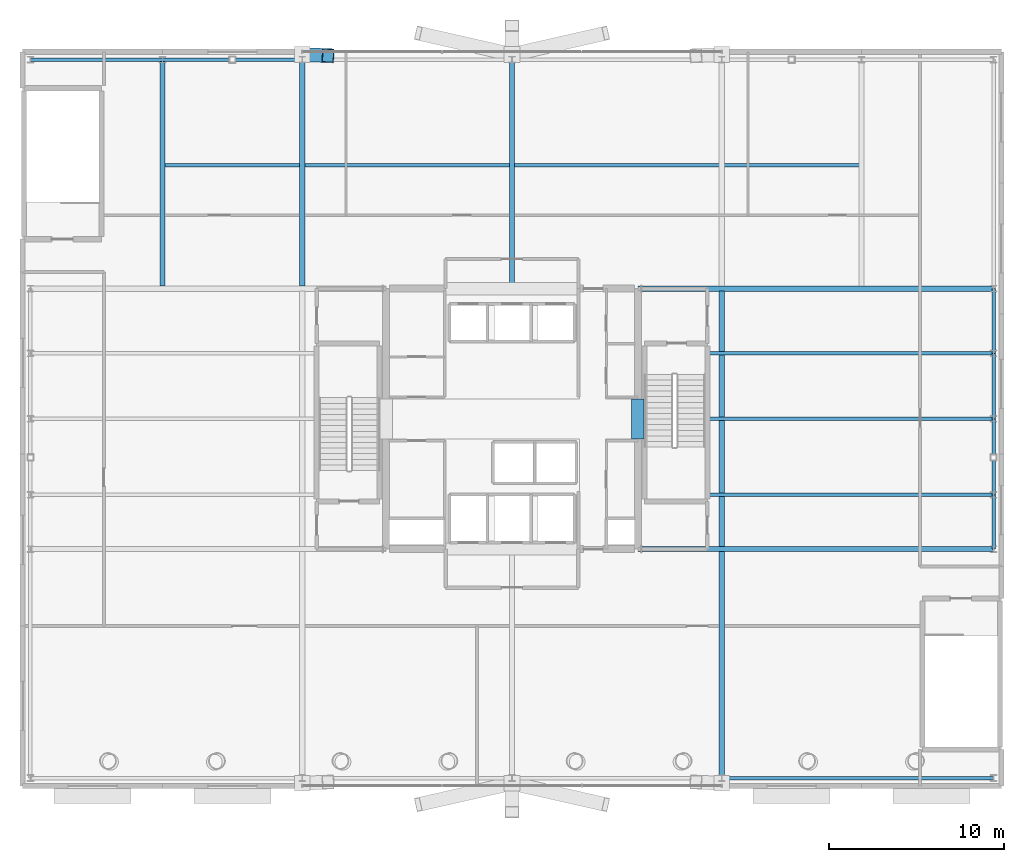
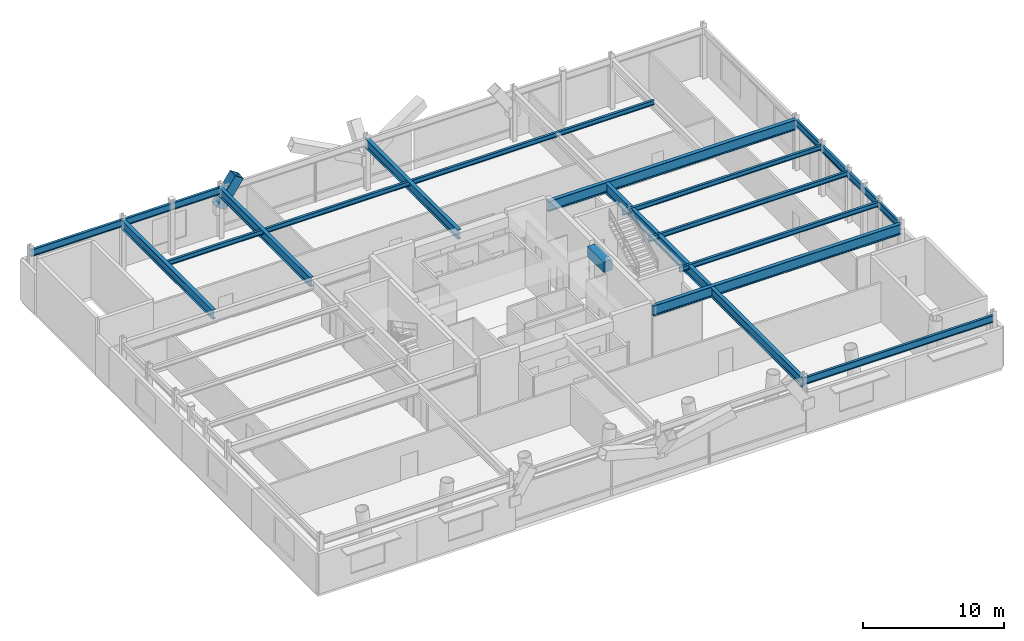
# One storey, part 9 of 21: 19 beams, 1 member.
"""IFC4 building model written with IfcOpenShell, lengths in metres."""

from ifc_helpers import new_model, si_unit, direction, frame, origin, origin_2d, place, context, subcontext, project, spatial, rectangle, hollow_rectangle, i_section, extrude, material, material_profile, profile_set, type_object, element, save


model = new_model("IFC4")

# Units and contexts
model_context = context("Model", 3, precision=1e-05, world=origin(), true_north=direction((0.0, 1.0)))
body_context = subcontext(model_context, "Body", "Model", "MODEL_VIEW")
ifc_project = project(units=[si_unit("LENGTHUNIT", "METRE"), si_unit("AREAUNIT", "SQUARE_METRE"), si_unit("VOLUMEUNIT", "CUBIC_METRE"), si_unit("PLANEANGLEUNIT", "RADIAN"), si_unit("MASSUNIT", "GRAM", prefix="KILO")], contexts=[model_context])

# Site, building, storey
site_placement = place(None, origin())
site = spatial("IfcSite", under=ifc_project, at=site_placement, CompositionType="ELEMENT")
building_placement = place(site_placement, origin())
building = spatial("IfcBuilding", under=site, at=building_placement, Name="Veldorina Hangang Commons", CompositionType="ELEMENT")
storey_placement = place(building_placement, frame((0.0, 0.0, 19.60009765625)))
storey = spatial("IfcBuildingStorey", under=building, at=storey_placement, Name="L04", CompositionType="ELEMENT", Elevation=19.60009765625)

# Beams
ifc_material_1 = material(Name="Concrete C70/85", Category="concrete")
ifc_material_profile_1 = material_profile(ifc_material_1, rectangle(XDim=0.699951171875, YDim=0.89990234375, at=origin_2d()), Name="RC-CB-700x900")
ifc_profile_set_1 = profile_set([ifc_material_profile_1], Name="Concrete C70/85")
beam_type_1 = type_object("IfcBeamType", Name="BM-CB900", PredefinedType="LINTEL", material=ifc_profile_set_1)
beam_1_placement = place(storey_placement, frame((39.199951171875, 22.85009765625, 3.949951171875), z_axis=(0.0, 1.0, 0.0), x_axis=(-1.0, 0.0, 0.0)))
element("IfcBeam", 1, at=beam_1_placement, inside=storey, type_object=beam_type_1, Name="L04 E core coupling lintel beam", PredefinedType="LINTEL", context=body_context, shape_type="SweptSolid", body=[
    extrude(rectangle(XDim=0.699951171875, YDim=0.89990234375, at=origin_2d()), origin(), (0.0, 0.0, 1.0), 2.2998046875),
])
ifc_material_2 = material(Name="Steel SM355-TMC", Category="steel")
ifc_material_profile_2 = material_profile(ifc_material_2, i_section(OverallWidth=0.199951171875, OverallDepth=0.39990234375, WebThickness=0.008056640625, FlangeThickness=0.012939453125, FilletRadius=0.012939453125, at=origin_2d()), Name="H-400x200x8x13")
ifc_profile_set_2 = profile_set([ifc_material_profile_2], Name="Steel SM355-TMC")
beam_type_2 = type_object("IfcBeamType", Name="BM-JST400", PredefinedType="JOIST", material=ifc_profile_set_2)
for number, where, z_axis, x_axis, name in (
    (2, (43.179931640625, 19.64990234375, 4.199951171875), (1.0, 0.0, 0.0), (0.0, 1.0, 0.0), "L04 east floor joist 1"),
    (3, (43.179931640625, 24.0, 4.199951171875), (1.0, 0.0, 0.0), (0.0, 1.0, 0.0), "L04 east floor joist 2"),
    (4, (43.179931640625, 27.75, 4.199951171875), (1.0, 0.0, 0.0), (0.0, 1.0, 0.0), "L04 east floor joist 3"),
):
    element("IfcBeam", number, at=place(storey_placement, frame(where, z_axis=z_axis, x_axis=x_axis)), inside=storey, type_object=beam_type_2, Name=name, PredefinedType="JOIST", context=body_context, shape_type="SweptSolid", body=[
        extrude(i_section(OverallWidth=0.199951171875, OverallDepth=0.39990234375, WebThickness=0.008056640625, FlangeThickness=0.012939453125, FilletRadius=0.012939453125, at=origin_2d()), origin(), (0.0, 0.0, 1.0), 16.3701171875),
    ])
beam_2_placement = place(storey_placement, frame((12.0, 38.5, 4.199951171875), z_axis=(1.0, 0.0, 0.0), x_axis=(0.0, 1.0, 0.0)))
element("IfcBeam", 5, at=beam_2_placement, inside=storey, type_object=beam_type_2, Name="L04 north floor joist 4", PredefinedType="JOIST", context=body_context, shape_type="SweptSolid", body=[
    extrude(i_section(OverallWidth=0.199951171875, OverallDepth=0.39990234375, WebThickness=0.008056640625, FlangeThickness=0.012939453125, FilletRadius=0.012939453125, at=origin_2d()), origin(), (0.0, 0.0, 1.0), 40.0),
])
ifc_material_3 = material(Name="Steel SM460-TMC", Category="steel")
ifc_material_profile_3 = material_profile(ifc_material_3, i_section(OverallWidth=0.300048828125, OverallDepth=0.800048828125, WebThickness=0.013916015625, FlangeThickness=0.02587890625, FilletRadius=0.02197265625, at=origin_2d()), Name="H-800x300x14x26")
ifc_profile_set_3 = profile_set([ifc_material_profile_3], Name="Steel SM460-TMC")
beam_type_3 = type_object("IfcBeamType", Name="BM-PG800", PredefinedType="BEAM", material=ifc_profile_set_3)
for number, where, z_axis, x_axis, name in (
    (6, (12.0, 31.590087890625, 4.0), (0.0, 1.0, 0.0), (-1.0, 0.0, 0.0), "L04 north primary girder G2"),
    (7, (20.0, 31.590087890625, 4.0), (0.0, 1.0, 0.0), (-1.0, 0.0, 0.0), "L04 north primary girder G3"),
):
    element("IfcBeam", number, at=place(storey_placement, frame(where, z_axis=z_axis, x_axis=x_axis)), inside=storey, type_object=beam_type_3, Name=name, PredefinedType="BEAM", context=body_context, shape_type="SweptSolid", body=[
        extrude(i_section(OverallWidth=0.300048828125, OverallDepth=0.800048828125, WebThickness=0.013916015625, FlangeThickness=0.02587890625, FilletRadius=0.02197265625, at=origin_2d()), origin(), (0.0, 0.0, 1.0), 12.9599609375),
    ])
beam_3_placement = place(storey_placement, frame((32.0, 31.449951171875, 4.0), z_axis=(0.0, 1.0, 0.0), x_axis=(-1.0, 0.0, 0.0)))
element("IfcBeam", 8, at=beam_3_placement, inside=storey, type_object=beam_type_3, Name="L04 north primary girder G5", PredefinedType="BEAM", context=body_context, shape_type="SweptSolid", body=[
    extrude(i_section(OverallWidth=0.300048828125, OverallDepth=0.800048828125, WebThickness=0.013916015625, FlangeThickness=0.02587890625, FilletRadius=0.02197265625, at=origin_2d()), origin(), (0.0, 0.0, 1.0), 13.10009765625),
])
beam_4_placement = place(storey_placement, frame((44.0, 3.449951171875, 4.0), z_axis=(0.0, 1.0, 0.0), x_axis=(-1.0, 0.0, 0.0)))
element("IfcBeam", 9, at=beam_4_placement, inside=storey, type_object=beam_type_3, Name="L04 south primary girder G7", PredefinedType="BEAM", context=body_context, shape_type="SweptSolid", body=[
    extrude(i_section(OverallWidth=0.300048828125, OverallDepth=0.800048828125, WebThickness=0.013916015625, FlangeThickness=0.02587890625, FilletRadius=0.02197265625, at=origin_2d()), origin(), (0.0, 0.0, 1.0), 12.9599609375),
])
ifc_material_profile_4 = material_profile(ifc_material_3, i_section(OverallWidth=0.300048828125, OverallDepth=0.89990234375, WebThickness=0.01611328125, FlangeThickness=0.028076171875, FilletRadius=0.02197265625, at=origin_2d()), Name="H-900x300x16x28")
ifc_profile_set_4 = profile_set([ifc_material_profile_4], Name="Steel SM460-TMC")
beam_type_4 = type_object("IfcBeamType", Name="BM-PG900", PredefinedType="BEAM", material=ifc_profile_set_4)
for number, where, z_axis, x_axis, name in (
    (10, (39.199951171875, 16.550048828125, 3.949951171875), (1.0, 0.0, 0.0), (0.0, 1.0, 0.0), "L04 east collector girder GD"),
    (11, (39.199951171875, 31.449951171875, 3.949951171875), (1.0, 0.0, 0.0), (0.0, 1.0, 0.0), "L04 east collector girder GF"),
):
    element("IfcBeam", number, at=place(storey_placement, frame(where, z_axis=z_axis, x_axis=x_axis)), inside=storey, type_object=beam_type_4, Name=name, PredefinedType="BEAM", context=body_context, shape_type="SweptSolid", body=[
        extrude(i_section(OverallWidth=0.300048828125, OverallDepth=0.89990234375, WebThickness=0.01611328125, FlangeThickness=0.028076171875, FilletRadius=0.02197265625, at=origin_2d()), origin(), (0.0, 0.0, 1.0), 20.35009765625),
    ])
beam_5_placement = place(storey_placement, frame((44.0, 16.68994140625, 3.949951171875), z_axis=(0.0, 1.0, 0.0), x_axis=(-1.0, 0.0, 0.0)))
element("IfcBeam", 12, at=beam_5_placement, inside=storey, type_object=beam_type_4, Name="L04 mid primary girder G7", PredefinedType="BEAM", context=body_context, shape_type="SweptSolid", body=[
    extrude(i_section(OverallWidth=0.300048828125, OverallDepth=0.89990234375, WebThickness=0.01611328125, FlangeThickness=0.028076171875, FilletRadius=0.02197265625, at=origin_2d()), origin(), (0.0, 0.0, 1.0), 14.6201171875),
])
ifc_material_4 = material(Name="Steel SM420-TMC", Category="steel")
ifc_material_profile_5 = material_profile(ifc_material_4, i_section(OverallWidth=0.199951171875, OverallDepth=0.60009765625, WebThickness=0.010986328125, FlangeThickness=0.01708984375, FilletRadius=0.01806640625, at=origin_2d()), Name="H-600x200x11x17")
ifc_profile_set_5 = profile_set([ifc_material_profile_5], Name="Steel SM420-TMC")
beam_type_5 = type_object("IfcBeamType", Name="BM-SPN600", PredefinedType="SPANDREL", material=ifc_profile_set_5)
beam_6_placement = place(storey_placement, frame((4.449951171875, 44.550048828125, 4.099853515625), z_axis=(1.0, 0.0, 0.0), x_axis=(0.0, 1.0, 0.0)))
element("IfcBeam", 13, at=beam_6_placement, inside=storey, type_object=beam_type_5, Name="L04 north spandrel beam 1", PredefinedType="SPANDREL", context=body_context, shape_type="SweptSolid", body=[
    extrude(i_section(OverallWidth=0.199951171875, OverallDepth=0.60009765625, WebThickness=0.010986328125, FlangeThickness=0.01708984375, FilletRadius=0.01806640625, at=origin_2d()), origin(), (0.0, 0.0, 1.0), 7.550048828125),
])
beam_7_placement = place(storey_placement, frame((12.0, 44.550048828125, 4.099853515625), z_axis=(1.0, 0.0, 0.0), x_axis=(0.0, 1.0, 0.0)))
element("IfcBeam", 14, at=beam_7_placement, inside=storey, type_object=beam_type_5, Name="L04 north spandrel beam 2", PredefinedType="SPANDREL", context=body_context, shape_type="SweptSolid", body=[
    extrude(i_section(OverallWidth=0.199951171875, OverallDepth=0.60009765625, WebThickness=0.010986328125, FlangeThickness=0.01708984375, FilletRadius=0.01806640625, at=origin_2d()), origin(), (0.0, 0.0, 1.0), 8.0),
])
beam_8_placement = place(storey_placement, frame((44.0, 3.449951171875, 4.099853515625), z_axis=(1.0, 0.0, 0.0), x_axis=(0.0, 1.0, 0.0)))
element("IfcBeam", 15, at=beam_8_placement, inside=storey, type_object=beam_type_5, Name="L04 south spandrel beam 4", PredefinedType="SPANDREL", context=body_context, shape_type="SweptSolid", body=[
    extrude(i_section(OverallWidth=0.199951171875, OverallDepth=0.60009765625, WebThickness=0.010986328125, FlangeThickness=0.01708984375, FilletRadius=0.01806640625, at=origin_2d()), origin(), (0.0, 0.0, 1.0), 15.550048828125),
])
beam_9_placement = place(storey_placement, frame((59.550048828125, 16.550048828125, 4.099853515625), z_axis=(0.0, 1.0, 0.0), x_axis=(-1.0, 0.0, 0.0)))
element("IfcBeam", 16, at=beam_9_placement, inside=storey, type_object=beam_type_5, Name="L04 east spandrel beam 2", PredefinedType="SPANDREL", context=body_context, shape_type="SweptSolid", body=[
    extrude(i_section(OverallWidth=0.199951171875, OverallDepth=0.60009765625, WebThickness=0.010986328125, FlangeThickness=0.01708984375, FilletRadius=0.01806640625, at=origin_2d()), origin(), (0.0, 0.0, 1.0), 3.099853515625),
])
beam_10_placement = place(storey_placement, frame((59.550048828125, 19.64990234375, 4.099853515625), z_axis=(0.0, 1.0, 0.0), x_axis=(-1.0, 0.0, 0.0)))
element("IfcBeam", 17, at=beam_10_placement, inside=storey, type_object=beam_type_5, Name="L04 east spandrel beam 3", PredefinedType="SPANDREL", context=body_context, shape_type="SweptSolid", body=[
    extrude(i_section(OverallWidth=0.199951171875, OverallDepth=0.60009765625, WebThickness=0.010986328125, FlangeThickness=0.01708984375, FilletRadius=0.01806640625, at=origin_2d()), origin(), (0.0, 0.0, 1.0), 4.35009765625),
])
beam_11_placement = place(storey_placement, frame((59.550048828125, 24.0, 4.099853515625), z_axis=(0.0, 1.0, 0.0), x_axis=(-1.0, 0.0, 0.0)))
element("IfcBeam", 18, at=beam_11_placement, inside=storey, type_object=beam_type_5, Name="L04 east spandrel beam 4", PredefinedType="SPANDREL", context=body_context, shape_type="SweptSolid", body=[
    extrude(i_section(OverallWidth=0.199951171875, OverallDepth=0.60009765625, WebThickness=0.010986328125, FlangeThickness=0.01708984375, FilletRadius=0.01806640625, at=origin_2d()), origin(), (0.0, 0.0, 1.0), 3.75),
])
beam_12_placement = place(storey_placement, frame((59.550048828125, 27.75, 4.099853515625), z_axis=(0.0, 1.0, 0.0), x_axis=(-1.0, 0.0, 0.0)))
element("IfcBeam", 19, at=beam_12_placement, inside=storey, type_object=beam_type_5, Name="L04 east spandrel beam 5", PredefinedType="SPANDREL", context=body_context, shape_type="SweptSolid", body=[
    extrude(i_section(OverallWidth=0.199951171875, OverallDepth=0.60009765625, WebThickness=0.010986328125, FlangeThickness=0.01708984375, FilletRadius=0.01806640625, at=origin_2d()), origin(), (0.0, 0.0, 1.0), 3.699951171875),
])

# Member
ifc_material_5 = material(Name="Steel SM490-TMC", Category="steel")
ifc_material_profile_6 = material_profile(ifc_material_5, hollow_rectangle(XDim=0.800048828125, YDim=0.800048828125, WallThickness=0.0400390625, at=origin_2d()), Name="BOX-800x800x40")
ifc_profile_set_6 = profile_set([ifc_material_profile_6], Name="Steel SM490-TMC")
member_type = type_object("IfcMemberType", Name="TR-BOX800", PredefinedType="BRACE", material=ifc_profile_set_6)
member_placement = place(storey_placement, frame((20.0, 44.85009765625, 2.5498046875), z_axis=(0.548443978364, -0.023309095823, 0.835862362263), x_axis=(0.042462081417, 0.99909807909, 0.0)))
element("IfcMember", 20, at=member_placement, inside=storey, type_object=member_type, Name="L04 podium-to-transfer raking strut 10", PredefinedType="BRACE", context=body_context, shape_type="SweptSolid", body=[
    extrude(hollow_rectangle(XDim=0.800048828125, YDim=0.800048828125, WallThickness=0.0400390625, at=origin_2d()), origin(), (0.0, 0.0, 1.0), 2.69189453125),
])

save(model, "model.ifc")
